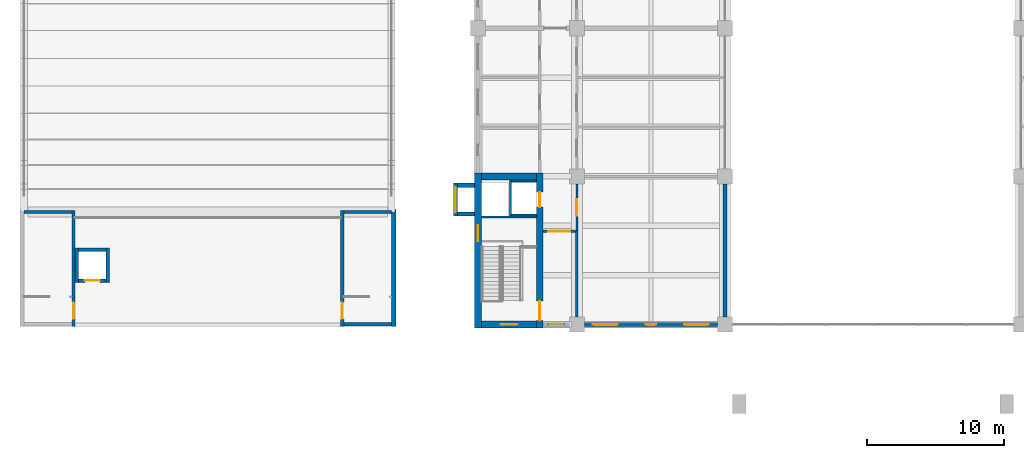
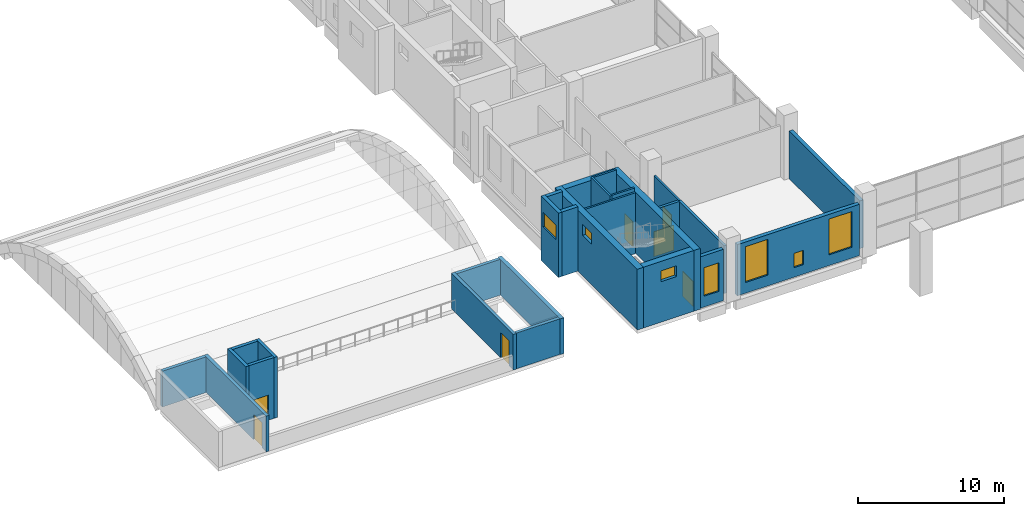
# One storey, part 16 of 32: 27 walls, 7 doors, 7 windows, 14 openings.
"""IFC4 building model written with IfcOpenShell, lengths in metres."""

from ifc_helpers import new_model, si_unit, direction, frame, frame_2d, origin, place, context, subcontext, project, spatial, rectangle, extrude, material, layer, layer_set, type_object, element, fill, save


model = new_model("IFC4")

# Units and contexts
model_context = context("Model", 3, precision=1e-05, world=origin(), true_north=direction((0.0, 1.0)))
body_context = subcontext(model_context, "Body", "Model", "MODEL_VIEW")
ifc_project = project(units=[si_unit("LENGTHUNIT", "METRE"), si_unit("AREAUNIT", "SQUARE_METRE"), si_unit("VOLUMEUNIT", "CUBIC_METRE"), si_unit("PLANEANGLEUNIT", "RADIAN"), si_unit("MASSUNIT", "GRAM", prefix="KILO")], contexts=[model_context])

# Site, building, storey
site_placement = place(None, origin())
site = spatial("IfcSite", under=ifc_project, at=site_placement, CompositionType="ELEMENT")
building_placement = place(site_placement, origin())
building = spatial("IfcBuilding", under=site, at=building_placement, Name="Basin Gate Institute", CompositionType="ELEMENT")
storey_placement = place(building_placement, frame((0.0, 0.0, 11.39990234375)))
storey = spatial("IfcBuildingStorey", under=building, at=storey_placement, Name="L02", CompositionType="ELEMENT", Elevation=11.39990234375)

# Walls
ifc_material_1 = material(Name="Fire-resisting board wall assembly")
ifc_layer_1 = layer(ifc_material_1, 0.300048828125)
ifc_layer_set_1 = layer_set([ifc_layer_1], Name="Atrium enclosure wall EW4")
wall_type_1 = type_object("IfcWallType", Name="Atrium enclosure wall EW4", PredefinedType="STANDARD", material=ifc_layer_set_1)
wall_1_placement = place(storey_placement, frame((79.199951171875, 35.64990234375, 0.0), z_axis=(0.0, 0.0, 1.0), x_axis=(0.0, 1.0, 0.0)))
element("IfcWall", 1, at=wall_1_placement, inside=storey, type_object=wall_type_1, material=ifc_layer_set_1, Name="Atrium enclosure wall W wing bay 1 L02", PredefinedType="STANDARD", context=body_context, shape_type="SweptSolid", body=[
    extrude(rectangle(XDim=9.7001953125, YDim=0.300048828125, at=frame_2d((4.85009765625, 0.0))), origin(), (0.0, 0.0, 1.0), 4.0),
])
ifc_material_2 = material(Name="Concrete 40 MPa", Category="concrete")
ifc_layer_2 = layer(ifc_material_2, 0.25)
ifc_layer_set_2 = layer_set([ifc_layer_2], Name="Concrete 40 MPa")
wall_type_2 = type_object("IfcWallType", Name="Block enclosure wall W73 REI 120", PredefinedType="SOLIDWALL", material=ifc_layer_set_2)
wall_2_placement = place(storey_placement, frame((28.10009765625, 43.300048828125, 0.0), z_axis=(0.0, 0.0, 1.0), x_axis=(1.0, 0.0, 0.0)))
element("IfcWall", 2, at=wall_2_placement, inside=storey, type_object=wall_type_2, material=ifc_layer_set_2, Name="Roof stair head house W north wall", PredefinedType="SOLIDWALL", context=body_context, shape_type="SweptSolid", body=[
    extrude(rectangle(XDim=3.474853515625, YDim=0.25, at=frame_2d((1.7373046875, 0.0))), origin(), (0.0, 0.0, 1.0), 3.0),
])

# Wall, opening, door
wall_3_placement = place(storey_placement, frame((31.699951171875, 34.949951171875, 0.0), z_axis=(0.0, 0.0, 1.0), x_axis=(0.0, 1.0, 0.0)))
wall_3 = element("IfcWall", 3, at=wall_3_placement, inside=storey, type_object=wall_type_2, material=ifc_layer_set_2, Name="Roof stair head house W inner wall", PredefinedType="SOLIDWALL", context=body_context, shape_type="SweptSolid", body=[
    extrude(rectangle(XDim=8.47509765625, YDim=0.25, at=frame_2d((4.237548828125, 0.0))), origin(), (0.0, 0.0, 1.0), 3.0),
])
opening_1_placement = place(wall_3_placement, frame((0.550048828125, 0.0, 0.0)))
opening_1 = element("IfcOpeningElement", 4, at=opening_1_placement, cuts=wall_3, Name="Opening D932", PredefinedType="OPENING", context=body_context, shape_type="SweptSolid", body=[
    extrude(rectangle(XDim=1.199951171875, YDim=2.10009765625, at=frame_2d((0.60009765625, 1.050048828125))), frame((0.0, 0.135009765625, 0.0), z_axis=(0.0, -1.0, 0.0), x_axis=(1.0, 0.0, 0.0)), (0.0, 0.0, 1.0), 0.27001953125),
])
ifc_material_3 = material(Name="Steel fire door leaf", Category="steel")
door_type_1 = type_object("IfcDoorType", Name="FD60 door 1200 single swing", OperationType="NOTDEFINED", PredefinedType="DOOR", material=ifc_material_3)
door_1_placement = place(opening_1_placement, origin())
door_1 = element("IfcDoor", 5, at=door_1_placement, inside=storey, type_object=door_type_1, material=ifc_material_3, Name="Roof stair door ST-T2", OperationType="SINGLE_SWING_LEFT", OverallHeight=2.10009765625, OverallWidth=1.199951171875, PredefinedType="DOOR", context=body_context, shape_type="SweptSolid", body=[
    extrude(rectangle(XDim=1.199951171875, YDim=2.10009765625, at=frame_2d((0.60009765625, 1.050048828125))), frame((0.0, 0.02490234375, 0.0), z_axis=(0.0, -1.0, 0.0), x_axis=(1.0, 0.0, 0.0)), (0.0, 0.0, 1.0), 0.050048828125),
])
fill(opening_1, door_1)

# Walls
for number, where, z_axis, x_axis, name in (
    (6, (51.425048828125, 35.10009765625, 0.0), (0.0, 0.0, 1.0), (1.0, 0.0, 0.0), "Roof stair head house E south wall"),
    (7, (51.425048828125, 43.300048828125, 0.0), (0.0, 0.0, 1.0), (1.0, 0.0, 0.0), "Roof stair head house E north wall"),
):
    element("IfcWall", number, at=place(storey_placement, frame(where, z_axis=z_axis, x_axis=x_axis)), inside=storey, type_object=wall_type_2, material=ifc_layer_set_2, Name=name, PredefinedType="SOLIDWALL", context=body_context, shape_type="SweptSolid", body=[
        extrude(rectangle(XDim=3.474853515625, YDim=0.25, at=frame_2d((1.7373046875, 0.0))), origin(), (0.0, 0.0, 1.0), 3.0),
    ])

# Wall, opening, door
wall_4_placement = place(storey_placement, frame((51.300048828125, 34.949951171875, 0.0), z_axis=(0.0, 0.0, 1.0), x_axis=(0.0, 1.0, 0.0)))
wall_4 = element("IfcWall", 8, at=wall_4_placement, inside=storey, type_object=wall_type_2, material=ifc_layer_set_2, Name="Roof stair head house E inner wall", PredefinedType="SOLIDWALL", context=body_context, shape_type="SweptSolid", body=[
    extrude(rectangle(XDim=8.47509765625, YDim=0.25, at=frame_2d((4.237548828125, 0.0))), origin(), (0.0, 0.0, 1.0), 3.0),
])
opening_2_placement = place(wall_4_placement, frame((0.550048828125, 0.0, 0.0)))
opening_2 = element("IfcOpeningElement", 9, at=opening_2_placement, cuts=wall_4, Name="Opening D933", PredefinedType="OPENING", context=body_context, shape_type="SweptSolid", body=[
    extrude(rectangle(XDim=1.199951171875, YDim=2.10009765625, at=frame_2d((0.60009765625, 1.050048828125))), frame((0.0, 0.135009765625, 0.0), z_axis=(0.0, -1.0, 0.0), x_axis=(1.0, 0.0, 0.0)), (0.0, 0.0, 1.0), 0.27001953125),
])
door_2_placement = place(opening_2_placement, frame((1.199951171875, 0.0, 0.0), z_axis=(0.0, 0.0, 1.0), x_axis=(-1.0, 0.0, 0.0)))
door_2 = element("IfcDoor", 10, at=door_2_placement, inside=storey, type_object=door_type_1, material=ifc_material_3, Name="Roof stair door ST-T4", OperationType="SINGLE_SWING_RIGHT", OverallHeight=2.10009765625, OverallWidth=1.199951171875, PredefinedType="DOOR", context=body_context, shape_type="SweptSolid", body=[
    extrude(rectangle(XDim=1.199951171875, YDim=2.10009765625, at=frame_2d((0.60009765625, 1.050048828125))), frame((0.0, 0.02490234375, 0.0), z_axis=(0.0, -1.0, 0.0), x_axis=(1.0, 0.0, 0.0)), (0.0, 0.0, 1.0), 0.050048828125),
])
fill(opening_2, door_2)

# Wall
ifc_material_4 = material(Name="Concrete 40 MPa", Category="concrete")
ifc_layer_3 = layer(ifc_material_4, 0.300048828125)
ifc_layer_set_3 = layer_set([ifc_layer_3], Name="Concrete 40 MPa")
wall_type_3 = type_object("IfcWallType", Name="Block external wall W71 REI 180", PredefinedType="SOLIDWALL", material=ifc_layer_set_3)
wall_5_placement = place(storey_placement, frame((55.050048828125, 34.949951171875, 0.0), z_axis=(0.0, 0.0, 1.0), x_axis=(0.0, 1.0, 0.0)))
element("IfcWall", 11, at=wall_5_placement, inside=storey, type_object=wall_type_3, material=ifc_layer_set_3, Name="Roof stair head house E outer wall", PredefinedType="SOLIDWALL", context=body_context, shape_type="SweptSolid", body=[
    extrude(rectangle(XDim=8.55615234375, YDim=0.300048828125, at=frame_2d((4.278076171875, 0.0))), origin(), (0.0, 0.0, 1.0), 3.0),
])

# Wall, opening, door
ifc_material_5 = material(Name="Fire-rated masonry", Category="masonry")
ifc_layer_4 = layer(ifc_material_5, 0.199951171875)
ifc_layer_set_4 = layer_set([ifc_layer_4], Name="Enclosure wall PW2 200 EI 60")
wall_type_4 = type_object("IfcWallType", Name="Enclosure wall PW2 200 EI 60", PredefinedType="PARTITIONING", material=ifc_layer_set_4)
wall_6_placement = place(storey_placement, frame((65.949951171875, 41.89990234375, 0.0), z_axis=(0.0, 0.0, 1.0), x_axis=(1.0, 0.0, 0.0)))
wall_6 = element("IfcWall", 12, at=wall_6_placement, inside=storey, type_object=wall_type_4, material=ifc_layer_set_4, Name="Smoke lobby enclosure wall PW2 L02", PredefinedType="PARTITIONING", context=body_context, shape_type="SweptSolid", body=[
    extrude(rectangle(XDim=2.35009765625, YDim=0.199951171875, at=frame_2d((1.175048828125, 0.0))), origin(), (0.0, 0.0, 1.0), 4.0),
])
opening_3_placement = place(wall_6_placement, frame((0.375, 0.0, 0.0)))
opening_3 = element("IfcOpeningElement", 13, at=opening_3_placement, cuts=wall_6, Name="Opening DR142", PredefinedType="OPENING", context=body_context, shape_type="SweptSolid", body=[
    extrude(rectangle(XDim=1.60009765625, YDim=2.10009765625, at=frame_2d((0.800048828125, 1.050048828125))), frame((0.0, 0.10986328125, 0.0), z_axis=(0.0, -1.0, 0.0), x_axis=(1.0, 0.0, 0.0)), (0.0, 0.0, 1.0), 0.219970703125),
])
ifc_material_6 = material(Name="Steel fire door", Category="steel")
door_type_2 = type_object("IfcDoorType", Name="FD60 Smoke lobby door pair D8", OperationType="DOUBLE_DOOR_SINGLE_SWING", PredefinedType="DOOR", material=ifc_material_6)
door_3_placement = place(opening_3_placement, frame((1.60009765625, 0.0, 0.0), z_axis=(0.0, 0.0, 1.0), x_axis=(-1.0, 0.0, 0.0)))
door_3 = element("IfcDoor", 14, at=door_3_placement, inside=storey, type_object=door_type_2, material=ifc_material_6, Name="Smoke lobby door SS1 L02", OperationType="DOUBLE_DOOR_SINGLE_SWING", OverallHeight=2.10009765625, OverallWidth=1.60009765625, PredefinedType="DOOR", context=body_context, shape_type="SweptSolid", body=[
    extrude(rectangle(XDim=1.60009765625, YDim=2.10009765625, at=frame_2d((0.800048828125, 1.050048828125))), frame((0.0, 0.02490234375, 0.0), z_axis=(0.0, -1.0, 0.0), x_axis=(1.0, 0.0, 0.0)), (0.0, 0.0, 1.0), 0.050048828125),
])
fill(opening_3, door_3)

# Wall
wall_7_placement = place(storey_placement, frame((68.39990234375, 35.64990234375, 0.0), z_axis=(0.0, 0.0, 1.0), x_axis=(0.0, 1.0, 0.0)))
element("IfcWall", 15, at=wall_7_placement, inside=storey, type_object=wall_type_4, material=ifc_layer_set_4, Name="Smoke lobby enclosure wall PW2 L02", PredefinedType="PARTITIONING", context=body_context, shape_type="SweptSolid", body=[
    extrude(rectangle(XDim=6.25, YDim=0.199951171875, at=frame_2d((3.125, 0.0))), origin(), (0.0, 0.0, 1.0), 4.0),
])

# Wall, opening, window
ifc_material_7 = material(Name="Aluminium-faced insulated panel wall", Category="aluminium")
ifc_layer_5 = layer(ifc_material_7, 0.300048828125)
ifc_layer_set_5 = layer_set([ifc_layer_5], Name="External wall EW1 EI 120")
wall_type_5 = type_object("IfcWallType", Name="External wall EW1 EI 120", PredefinedType="STANDARD", material=ifc_layer_set_5)
wall_8_placement = place(storey_placement, frame((65.949951171875, 35.10009765625, 0.0), z_axis=(0.0, 0.0, 1.0), x_axis=(1.0, 0.0, 0.0)))
wall_8 = element("IfcWall", 16, at=wall_8_placement, inside=storey, type_object=wall_type_5, material=ifc_layer_set_5, Name="External end wall W wing south L02 1", PredefinedType="STANDARD", context=body_context, shape_type="SweptSolid", body=[
    extrude(rectangle(XDim=1.900146484375, YDim=0.300048828125, at=frame_2d((0.9501953125, 0.0))), origin(), (0.0, 0.0, 1.0), 4.300048828125),
])
opening_4_placement = place(wall_8_placement, frame((0.35009765625, 0.0, 0.89990234375)))
opening_4 = element("IfcOpeningElement", 17, at=opening_4_placement, cuts=wall_8, Name="Opening WN4", PredefinedType="OPENING", context=body_context, shape_type="SweptSolid", body=[
    extrude(rectangle(XDim=1.199951171875, YDim=2.39990234375, at=frame_2d((0.60009765625, 1.199951171875))), frame((0.0, 0.16015625, 0.0), z_axis=(0.0, -1.0, 0.0), x_axis=(1.0, 0.0, 0.0)), (0.0, 0.0, 1.0), 0.320068359375),
])
ifc_material_8 = material(Name="Aluminium-framed double glazing", Category="aluminium")
window_type_1 = type_object("IfcWindowType", Name="Corridor end window WN4", PartitioningType="SINGLE_PANEL", PredefinedType="WINDOW", material=ifc_material_8)
window_1_placement = place(opening_4_placement, origin())
window_1 = element("IfcWindow", 18, at=window_1_placement, inside=storey, type_object=window_type_1, material=ifc_material_8, Name="Corridor end window W wing S L02", OverallHeight=2.39990234375, OverallWidth=1.199951171875, PartitioningType="SINGLE_PANEL", PredefinedType="WINDOW", context=body_context, shape_type="SweptSolid", body=[
    extrude(rectangle(XDim=1.199951171875, YDim=2.39990234375, at=frame_2d((0.60009765625, 1.199951171875))), frame((0.0, 0.030029296875, 0.0), z_axis=(0.0, -1.0, 0.0), x_axis=(1.0, 0.0, 0.0)), (0.0, 0.0, 1.0), 0.06005859375),
])
fill(opening_4, window_1)

# Wall, openings, windows
wall_9_placement = place(storey_placement, frame((68.949951171875, 35.10009765625, 0.0), z_axis=(0.0, 0.0, 1.0), x_axis=(1.0, 0.0, 0.0)))
wall_9 = element("IfcWall", 19, at=wall_9_placement, inside=storey, type_object=wall_type_5, material=ifc_layer_set_5, Name="External end wall W wing south L02 2", PredefinedType="STANDARD", context=body_context, shape_type="SweptSolid", body=[
    extrude(rectangle(XDim=9.699951171875, YDim=0.300048828125, at=frame_2d((4.85009765625, 0.0))), origin(), (0.0, 0.0, 1.0), 4.300048828125),
])
opening_5_placement = place(wall_9_placement, frame((0.625, 0.0, 0.89990234375)))
opening_5 = element("IfcOpeningElement", 20, at=opening_5_placement, cuts=wall_9, Name="Opening WN2", PredefinedType="OPENING", context=body_context, shape_type="SweptSolid", body=[
    extrude(rectangle(XDim=1.800048828125, YDim=3.0, at=frame_2d((0.89990234375, 1.5))), frame((0.0, 0.16015625, 0.0), z_axis=(0.0, -1.0, 0.0), x_axis=(1.0, 0.0, 0.0)), (0.0, 0.0, 1.0), 0.320068359375),
])
opening_6_placement = place(wall_9_placement, frame((4.47509765625, 0.0, 0.800048828125)))
opening_6 = element("IfcOpeningElement", 21, at=opening_6_placement, cuts=wall_9, Name="Opening WN3", PredefinedType="OPENING", context=body_context, shape_type="SweptSolid", body=[
    extrude(rectangle(XDim=0.75, YDim=1.199951171875, at=frame_2d((0.375, 0.60009765625))), frame((0.0, 0.16015625, 0.0), z_axis=(0.0, -1.0, 0.0), x_axis=(1.0, 0.0, 0.0)), (0.0, 0.0, 1.0), 0.320068359375),
])
opening_7_placement = place(wall_9_placement, frame((7.27490234375, 0.0, 0.89990234375)))
opening_7 = element("IfcOpeningElement", 22, at=opening_7_placement, cuts=wall_9, Name="Opening WN2", PredefinedType="OPENING", context=body_context, shape_type="SweptSolid", body=[
    extrude(rectangle(XDim=1.800048828125, YDim=3.0, at=frame_2d((0.89990234375, 1.5))), frame((0.0, 0.16015625, 0.0), z_axis=(0.0, -1.0, 0.0), x_axis=(1.0, 0.0, 0.0)), (0.0, 0.0, 1.0), 0.320068359375),
])
ifc_material_9 = material(Name="Aluminium-framed double glazing", Category="aluminium")
window_type_2 = type_object("IfcWindowType", Name="Emergency entry panel WN3", PartitioningType="SINGLE_PANEL", PredefinedType="WINDOW", material=ifc_material_9)
window_2_placement = place(opening_6_placement, origin())
window_2 = element("IfcWindow", 23, at=window_2_placement, inside=storey, type_object=window_type_2, material=ifc_material_9, Name="Emergency entry panel W wing end S L02 bay 2", OverallHeight=1.199951171875, OverallWidth=0.75, PartitioningType="SINGLE_PANEL", PredefinedType="WINDOW", context=body_context, shape_type="SweptSolid", body=[
    extrude(rectangle(XDim=0.75, YDim=1.199951171875, at=frame_2d((0.375, 0.60009765625))), frame((0.0, 0.030029296875, 0.0), z_axis=(0.0, -1.0, 0.0), x_axis=(1.0, 0.0, 0.0)), (0.0, 0.0, 1.0), 0.06005859375),
])
fill(opening_6, window_2)
ifc_material_10 = material(Name="Aluminium-framed double glazing", Category="aluminium")
window_type_3 = type_object("IfcWindowType", Name="Podium window WN2", PartitioningType="SINGLE_PANEL", PredefinedType="WINDOW", material=ifc_material_10)
window_3_placement = place(opening_5_placement, origin())
window_3 = element("IfcWindow", 24, at=window_3_placement, inside=storey, type_object=window_type_3, material=ifc_material_10, Name="Podium window W wing end S L02 bay 1", OverallHeight=3.0, OverallWidth=1.800048828125, PartitioningType="SINGLE_PANEL", PredefinedType="WINDOW", context=body_context, shape_type="SweptSolid", body=[
    extrude(rectangle(XDim=1.800048828125, YDim=3.0, at=frame_2d((0.89990234375, 1.5))), frame((0.0, 0.030029296875, 0.0), z_axis=(0.0, -1.0, 0.0), x_axis=(1.0, 0.0, 0.0)), (0.0, 0.0, 1.0), 0.06005859375),
])
fill(opening_5, window_3)
window_4_placement = place(opening_7_placement, origin())
window_4 = element("IfcWindow", 25, at=window_4_placement, inside=storey, type_object=window_type_3, material=ifc_material_10, Name="Podium window W wing end S L02 bay 3", OverallHeight=3.0, OverallWidth=1.800048828125, PartitioningType="SINGLE_PANEL", PredefinedType="WINDOW", context=body_context, shape_type="SweptSolid", body=[
    extrude(rectangle(XDim=1.800048828125, YDim=3.0, at=frame_2d((0.89990234375, 1.5))), frame((0.0, 0.030029296875, 0.0), z_axis=(0.0, -1.0, 0.0), x_axis=(1.0, 0.0, 0.0)), (0.0, 0.0, 1.0), 0.06005859375),
])
fill(opening_7, window_4)

# Wall, opening, door
ifc_material_11 = material(Name="Concrete 40 MPa", Category="concrete")
ifc_layer_6 = layer(ifc_material_11, 0.25)
ifc_layer_set_6 = layer_set([ifc_layer_6], Name="Concrete 40 MPa")
wall_type_6 = type_object("IfcWallType", Name="Lift shaft enclosure wall W76 EI 120", PredefinedType="SOLIDWALL", material=ifc_layer_set_6)
wall_10_placement = place(storey_placement, frame((32.074951171875, 38.300048828125, 0.0), z_axis=(0.0, 0.0, 1.0), x_axis=(1.0, 0.0, 0.0)))
wall_10 = element("IfcWall", 26, at=wall_10_placement, inside=storey, type_object=wall_type_6, material=ifc_layer_set_6, Name="Lift shaft enclosure LP7 S L02", PredefinedType="SOLIDWALL", context=body_context, shape_type="SweptSolid", body=[
    extrude(rectangle(XDim=2.0, YDim=0.25, at=frame_2d((1.0, 0.0))), origin(), (0.0, 0.0, 1.0), 5.10009765625),
])
opening_8_placement = place(wall_10_placement, frame((0.449951171875, 0.0, 0.0)))
opening_8 = element("IfcOpeningElement", 27, at=opening_8_placement, cuts=wall_10, Name="Opening LW23", PredefinedType="OPENING", context=body_context, shape_type="SweptSolid", body=[
    extrude(rectangle(XDim=1.10009765625, YDim=2.10009765625, at=frame_2d((0.550048828125, 1.050048828125))), frame((0.0, 0.135009765625, 0.0), z_axis=(0.0, -1.0, 0.0), x_axis=(1.0, 0.0, 0.0)), (0.0, 0.0, 1.0), 0.27001953125),
])
ifc_material_12 = material(Name="Stainless steel", Category="steel")
door_type_3 = type_object("IfcDoorType", Name="FD60 Lift landing door LD", OperationType="SLIDING_TO_LEFT", PredefinedType="DOOR", material=ifc_material_12)
door_4_placement = place(opening_8_placement, origin())
door_4 = element("IfcDoor", 28, at=door_4_placement, inside=storey, type_object=door_type_3, material=ifc_material_12, Name="Lift landing door LP7 L02", OperationType="SLIDING_TO_LEFT", OverallHeight=2.10009765625, OverallWidth=1.10009765625, PredefinedType="DOOR", context=body_context, shape_type="SweptSolid", body=[
    extrude(rectangle(XDim=1.10009765625, YDim=2.10009765625, at=frame_2d((0.550048828125, 1.050048828125))), frame((0.0, 0.02490234375, 0.0), z_axis=(0.0, -1.0, 0.0), x_axis=(1.0, 0.0, 0.0)), (0.0, 0.0, 1.0), 0.050048828125),
])
fill(opening_8, door_4)

# Walls
wall_11_placement = place(storey_placement, frame((32.074951171875, 40.550048828125, 0.0), z_axis=(0.0, 0.0, 1.0), x_axis=(1.0, 0.0, 0.0)))
element("IfcWall", 29, at=wall_11_placement, inside=storey, type_object=wall_type_6, material=ifc_layer_set_6, Name="Lift shaft enclosure LP7 N L02", PredefinedType="SOLIDWALL", context=body_context, shape_type="SweptSolid", body=[
    extrude(rectangle(XDim=2.0, YDim=0.25, at=frame_2d((1.0, 0.0))), origin(), (0.0, 0.0, 1.0), 5.10009765625),
])
for number, where, z_axis, x_axis, name in (
    (30, (31.949951171875, 38.175048828125, 0.0), (0.0, 0.0, 1.0), (0.0, 1.0, 0.0), "Lift shaft enclosure LP7 W L02"),
    (31, (34.199951171875, 38.175048828125, 0.0), (0.0, 0.0, 1.0), (0.0, 1.0, 0.0), "Lift shaft enclosure LP7 E L02"),
):
    element("IfcWall", number, at=place(storey_placement, frame(where, z_axis=z_axis, x_axis=x_axis)), inside=storey, type_object=wall_type_6, material=ifc_layer_set_6, Name=name, PredefinedType="SOLIDWALL", context=body_context, shape_type="SweptSolid", body=[
        extrude(rectangle(XDim=2.5, YDim=0.25, at=frame_2d((1.25, 0.0))), origin(), (0.0, 0.0, 1.0), 5.10009765625),
    ])

# Wall, opening, door
ifc_material_13 = material(Name="Gypsum board on steel stud", Category="steel")
ifc_layer_7 = layer(ifc_material_13, 0.14990234375)
ifc_layer_set_7 = layer_set([ifc_layer_7], Name="Gypsum board on steel stud")
wall_type_7 = type_object("IfcWallType", Name="Partition PW1 150 EI 60", PredefinedType="PARTITIONING", material=ifc_layer_set_7)
wall_12_placement = place(storey_placement, frame((68.39990234375, 41.89990234375, 0.0), z_axis=(0.0, 0.0, 1.0), x_axis=(0.0, 1.0, 0.0)))
wall_12 = element("IfcWall", 32, at=wall_12_placement, inside=storey, type_object=wall_type_7, material=ifc_layer_set_7, Name="Laboratory corridor wall PW1 L02", PredefinedType="PARTITIONING", context=body_context, shape_type="SweptSolid", body=[
    extrude(rectangle(XDim=3.4501953125, YDim=0.14990234375, at=frame_2d((1.72509765625, 0.0))), origin(), (0.0, 0.0, 1.0), 4.0),
])
opening_9_placement = place(wall_12_placement, frame((1.125, 0.0, 0.0)))
opening_9 = element("IfcOpeningElement", 33, at=opening_9_placement, cuts=wall_12, Name="Opening DR132", PredefinedType="OPENING", context=body_context, shape_type="SweptSolid", body=[
    extrude(rectangle(XDim=1.199951171875, YDim=2.10009765625, at=frame_2d((0.60009765625, 1.050048828125))), frame((0.0, 0.0849609375, 0.0), z_axis=(0.0, -1.0, 0.0), x_axis=(1.0, 0.0, 0.0)), (0.0, 0.0, 1.0), 0.169921875),
])
ifc_material_14 = material(Name="Timber fire door", Category="wood")
door_type_4 = type_object("IfcDoorType", Name="FD30 Laboratory door D2", OperationType="DOUBLE_DOOR_SINGLE_SWING", PredefinedType="DOOR", material=ifc_material_14)
door_5_placement = place(opening_9_placement, frame((1.199951171875, 0.0, 0.0), z_axis=(0.0, 0.0, 1.0), x_axis=(-1.0, 0.0, 0.0)))
door_5 = element("IfcDoor", 34, at=door_5_placement, inside=storey, type_object=door_type_4, material=ifc_material_14, Name="Door to Seminar Room 0216 L02", OperationType="DOUBLE_DOOR_SINGLE_SWING", OverallHeight=2.10009765625, OverallWidth=1.199951171875, PredefinedType="DOOR", context=body_context, shape_type="SweptSolid", body=[
    extrude(rectangle(XDim=1.199951171875, YDim=2.10009765625, at=frame_2d((0.60009765625, 1.050048828125))), frame((0.0, 0.02490234375, 0.0), z_axis=(0.0, -1.0, 0.0), x_axis=(1.0, 0.0, 0.0)), (0.0, 0.0, 1.0), 0.050048828125),
])
fill(opening_9, door_5)

# Walls
ifc_material_15 = material(Name="Concrete 40 MPa", Category="concrete")
ifc_layer_8 = layer(ifc_material_15, 0.14990234375)
ifc_layer_set_8 = layer_set([ifc_layer_8], Name="Concrete 40 MPa")
wall_type_8 = type_object("IfcWallType", Name="Wall LS1 lift shaft enclosure R180", PredefinedType="SOLIDWALL", material=ifc_layer_set_8)
wall_13_placement = place(storey_placement, frame((63.574951171875, 43.0, 0.0), z_axis=(0.0, 0.0, 1.0), x_axis=(0.0, 1.0, 0.0)))
element("IfcWall", 35, at=wall_13_placement, inside=storey, type_object=wall_type_8, material=ifc_layer_set_8, Name="Lift shaft enclosure LP1 L02 UL", PredefinedType="SOLIDWALL", context=body_context, shape_type="SweptSolid", body=[
    extrude(rectangle(XDim=2.64990234375, YDim=0.14990234375, at=frame_2d((1.324951171875, 0.0))), origin(), (0.0, 0.0, 1.0), 5.400146484375),
])
for number, where, z_axis, x_axis, name in (
    (36, (63.64990234375, 43.074951171875, 0.0), (0.0, 0.0, 1.0), (1.0, 0.0, 0.0), "Lift shaft enclosure LP1 L02 RL"),
    (37, (63.64990234375, 45.574951171875, 0.0), (0.0, 0.0, 1.0), (1.0, 0.0, 0.0), "Lift shaft enclosure LP1 L02 RH"),
):
    element("IfcWall", number, at=place(storey_placement, frame(where, z_axis=z_axis, x_axis=x_axis)), inside=storey, type_object=wall_type_8, material=ifc_layer_set_8, Name=name, PredefinedType="SOLIDWALL", context=body_context, shape_type="SweptSolid", body=[
        extrude(rectangle(XDim=1.800048828125, YDim=0.14990234375, at=frame_2d((0.89990234375, 0.0))), origin(), (0.0, 0.0, 1.0), 5.400146484375),
    ])
ifc_material_16 = material(Name="Concrete 40 MPa", Category="concrete")
ifc_layer_9 = layer(ifc_material_16, 0.14990234375)
ifc_layer_set_9 = layer_set([ifc_layer_9], Name="Concrete 40 MPa")
wall_type_9 = type_object("IfcWallType", Name="Wall SE1 stair enclosure R180", PredefinedType="SOLIDWALL", material=ifc_layer_set_9)
wall_14_placement = place(storey_placement, frame((61.449951171875, 42.925048828125, 0.0), z_axis=(0.0, 0.0, 1.0), x_axis=(1.0, 0.0, 0.0)))
element("IfcWall", 38, at=wall_14_placement, inside=storey, type_object=wall_type_9, material=ifc_layer_set_9, Name="Stair enclosure wall ST-WS L02", PredefinedType="SOLIDWALL", context=body_context, shape_type="SweptSolid", body=[
    extrude(rectangle(XDim=4.0, YDim=0.14990234375, at=frame_2d((2.0, 0.0))), origin(), (0.0, 0.0, 1.0), 5.10009765625),
])

# Wall, opening, window
ifc_material_17 = material(Name="Concrete 50 MPa", Category="concrete")
ifc_layer_10 = layer(ifc_material_17, 0.300048828125)
ifc_layer_set_10 = layer_set([ifc_layer_10], Name="Concrete 50 MPa")
wall_type_10 = type_object("IfcWallType", Name="Wall SK1 R180", PredefinedType="SHEAR", material=ifc_layer_set_10)
wall_15_placement = place(storey_placement, frame((59.550048828125, 43.0, 0.0), z_axis=(0.0, 0.0, 1.0), x_axis=(0.0, 1.0, 0.0)))
wall_15 = element("IfcWall", 39, at=wall_15_placement, inside=storey, type_object=wall_type_10, material=ifc_layer_set_10, Name="Spine riser stack wall SK1 WS F L02", PredefinedType="SHEAR", context=body_context, shape_type="SweptSolid", body=[
    extrude(rectangle(XDim=2.39990234375, YDim=0.300048828125, at=frame_2d((1.199951171875, 0.0))), origin(), (0.0, 0.0, 1.0), 5.400146484375),
])
opening_10_placement = place(wall_15_placement, frame((0.300048828125, 0.0, 3.0)))
opening_10 = element("IfcOpeningElement", 40, at=opening_10_placement, cuts=wall_15, Name="Opening WL1", PredefinedType="OPENING", context=body_context, shape_type="SweptSolid", body=[
    extrude(rectangle(XDim=1.800048828125, YDim=1.199951171875, at=frame_2d((0.89990234375, 0.60009765625))), frame((0.0, 0.16015625, 0.0), z_axis=(0.0, -1.0, 0.0), x_axis=(1.0, 0.0, 0.0)), (0.0, 0.0, 1.0), 0.320068359375),
])
ifc_material_18 = material(Name="Aluminium louvre blades with fire damper", Category="aluminium")
window_type_4 = type_object("IfcWindowType", Name="Riser louvre EI 180 WL1", PartitioningType="SINGLE_PANEL", PredefinedType="WINDOW", material=ifc_material_18)
window_5_placement = place(opening_10_placement, origin())
window_5 = element("IfcWindow", 41, at=window_5_placement, inside=storey, type_object=window_type_4, material=ifc_material_18, Name="Riser louvre EI 180 WS riser 1 L02", OverallHeight=1.199951171875, OverallWidth=1.800048828125, PartitioningType="SINGLE_PANEL", PredefinedType="WINDOW", context=body_context, shape_type="SweptSolid", body=[
    extrude(rectangle(XDim=1.800048828125, YDim=1.199951171875, at=frame_2d((0.89990234375, 0.60009765625))), frame((0.0, 0.030029296875, 0.0), z_axis=(0.0, -1.0, 0.0), x_axis=(1.0, 0.0, 0.0)), (0.0, 0.0, 1.0), 0.06005859375),
])
fill(opening_10, window_5)

# Walls
for number, where, z_axis, x_axis, name in (
    (42, (60.949951171875, 43.14990234375, 0.0), (0.0, 0.0, 1.0), (-1.0, 0.0, 0.0), "Spine riser stack wall SK1 WS A L02"),
    (43, (60.949951171875, 45.25, 0.0), (0.0, 0.0, 1.0), (-1.0, 0.0, 0.0), "Spine riser stack wall SK1 WS B L02"),
):
    element("IfcWall", number, at=place(storey_placement, frame(where, z_axis=z_axis, x_axis=x_axis)), inside=storey, type_object=wall_type_10, material=ifc_layer_set_10, Name=name, PredefinedType="SHEAR", context=body_context, shape_type="SweptSolid", body=[
        extrude(rectangle(XDim=1.25, YDim=0.300048828125, at=frame_2d((0.625, 0.0))), origin(), (0.0, 0.0, 1.0), 5.400146484375),
    ])

# Wall, opening, window
ifc_material_19 = material(Name="Concrete 60 MPa", Category="concrete")
ifc_layer_11 = layer(ifc_material_19, 0.5)
ifc_layer_set_11 = layer_set([ifc_layer_11], Name="Concrete 60 MPa")
wall_type_11 = type_object("IfcWallType", Name="Wall SW1 R180", PredefinedType="SHEAR", material=ifc_layer_set_11)
wall_16_placement = place(storey_placement, frame((61.199951171875, 34.85009765625, 0.0), z_axis=(0.0, 0.0, 1.0), x_axis=(0.0, 1.0, 0.0)))
wall_16 = element("IfcWall", 44, at=wall_16_placement, inside=storey, type_object=wall_type_11, material=ifc_layer_set_11, Name="WALL/L02/WS/L", PredefinedType="SHEAR", context=body_context, shape_type="SweptSolid", body=[
    extrude(rectangle(XDim=11.2998046875, YDim=0.5, at=frame_2d((5.64990234375, 0.0))), origin(), (0.0, 0.0, 1.0), 5.10009765625),
])
opening_11_placement = place(wall_16_placement, frame((6.300048828125, 0.0, 3.39990234375)))
opening_11 = element("IfcOpeningElement", 45, at=opening_11_placement, cuts=wall_16, Name="Opening WT1", PredefinedType="OPENING", context=body_context, shape_type="SweptSolid", body=[
    extrude(rectangle(XDim=1.199951171875, YDim=0.89990234375, at=frame_2d((0.60009765625, 0.449951171875))), frame((0.0, 0.260009765625, 0.0), z_axis=(0.0, -1.0, 0.0), x_axis=(1.0, 0.0, 0.0)), (0.0, 0.0, 1.0), 0.52001953125),
])
ifc_material_20 = material(Name="Fire-resistant glazing in steel-free frame", Category="steel")
window_type_5 = type_object("IfcWindowType", Name="Rated stair window EI 180 WT1", PartitioningType="SINGLE_PANEL", PredefinedType="WINDOW", material=ifc_material_20)
window_6_placement = place(opening_11_placement, origin())
window_6 = element("IfcWindow", 46, at=window_6_placement, inside=storey, type_object=window_type_5, material=ifc_material_20, Name="Rated stair window EI 180 WS landing L02", OverallHeight=0.89990234375, OverallWidth=1.199951171875, PartitioningType="SINGLE_PANEL", PredefinedType="WINDOW", context=body_context, shape_type="SweptSolid", body=[
    extrude(rectangle(XDim=1.199951171875, YDim=0.89990234375, at=frame_2d((0.60009765625, 0.449951171875))), frame((0.0, 0.030029296875, 0.0), z_axis=(0.0, -1.0, 0.0), x_axis=(1.0, 0.0, 0.0)), (0.0, 0.0, 1.0), 0.06005859375),
])
fill(opening_11, window_6)

# Wall, openings, doors
wall_17_placement = place(storey_placement, frame((65.699951171875, 34.85009765625, 0.0), z_axis=(0.0, 0.0, 1.0), x_axis=(0.0, 1.0, 0.0)))
wall_17 = element("IfcWall", 47, at=wall_17_placement, inside=storey, type_object=wall_type_11, material=ifc_layer_set_11, Name="WALL/L02/WS/C", PredefinedType="SHEAR", context=body_context, shape_type="SweptSolid", body=[
    extrude(rectangle(XDim=11.2998046875, YDim=0.5, at=frame_2d((5.64990234375, 0.0))), origin(), (0.0, 0.0, 1.0), 5.10009765625),
])
opening_12_placement = place(wall_17_placement, frame((0.550048828125, 0.0, 0.0)))
opening_12 = element("IfcOpeningElement", 48, at=opening_12_placement, cuts=wall_17, Name="Opening DS013", PredefinedType="OPENING", context=body_context, shape_type="SweptSolid", body=[
    extrude(rectangle(XDim=1.39990234375, YDim=2.10009765625, at=frame_2d((0.699951171875, 1.050048828125))), frame((0.0, 0.260009765625, 0.0), z_axis=(0.0, -1.0, 0.0), x_axis=(1.0, 0.0, 0.0)), (0.0, 0.0, 1.0), 0.52001953125),
])
opening_13_placement = place(wall_17_placement, frame((8.800048828125, 0.0, 0.0)))
opening_13 = element("IfcOpeningElement", 49, at=opening_13_placement, cuts=wall_17, Name="Opening LD005", PredefinedType="OPENING", context=body_context, shape_type="SweptSolid", body=[
    extrude(rectangle(XDim=1.10009765625, YDim=2.10009765625, at=frame_2d((0.550048828125, 1.050048828125))), frame((0.0, 0.260009765625, 0.0), z_axis=(0.0, -1.0, 0.0), x_axis=(1.0, 0.0, 0.0)), (0.0, 0.0, 1.0), 0.52001953125),
])
ifc_material_21 = material(Name="Steel fire door", Category="steel")
door_type_5 = type_object("IfcDoorType", Name="FD30 Stair enclosure door DS", OperationType="DOUBLE_DOOR_SINGLE_SWING", PredefinedType="DOOR", material=ifc_material_21)
door_6_placement = place(opening_12_placement, origin())
door_6 = element("IfcDoor", 50, at=door_6_placement, inside=storey, type_object=door_type_5, material=ifc_material_21, Name="Stair enclosure door ST-WS L02", OperationType="DOUBLE_DOOR_SINGLE_SWING", OverallHeight=2.10009765625, OverallWidth=1.39990234375, PredefinedType="DOOR", context=body_context, shape_type="SweptSolid", body=[
    extrude(rectangle(XDim=1.39990234375, YDim=2.10009765625, at=frame_2d((0.699951171875, 1.050048828125))), frame((0.0, 0.02490234375, 0.0), z_axis=(0.0, -1.0, 0.0), x_axis=(1.0, 0.0, 0.0)), (0.0, 0.0, 1.0), 0.050048828125),
])
fill(opening_12, door_6)
door_7_placement = place(opening_13_placement, origin())
door_7 = element("IfcDoor", 51, at=door_7_placement, inside=storey, type_object=door_type_3, material=ifc_material_12, Name="Lift landing door LP1 L02", OperationType="SLIDING_TO_LEFT", OverallHeight=2.10009765625, OverallWidth=1.10009765625, PredefinedType="DOOR", context=body_context, shape_type="SweptSolid", body=[
    extrude(rectangle(XDim=1.10009765625, YDim=2.10009765625, at=frame_2d((0.550048828125, 1.050048828125))), frame((0.0, 0.02490234375, 0.0), z_axis=(0.0, -1.0, 0.0), x_axis=(1.0, 0.0, 0.0)), (0.0, 0.0, 1.0), 0.050048828125),
])
fill(opening_13, door_7)

# Wall, opening, window
wall_18_placement = place(storey_placement, frame((61.449951171875, 35.10009765625, 0.0), z_axis=(0.0, 0.0, 1.0), x_axis=(1.0, 0.0, 0.0)))
wall_18 = element("IfcWall", 52, at=wall_18_placement, inside=storey, type_object=wall_type_11, material=ifc_layer_set_11, Name="WALL/L02/WS/S", PredefinedType="SHEAR", context=body_context, shape_type="SweptSolid", body=[
    extrude(rectangle(XDim=4.0, YDim=0.5, at=frame_2d((2.0, 0.0))), origin(), (0.0, 0.0, 1.0), 5.10009765625),
])
opening_14_placement = place(wall_18_placement, frame((1.39990234375, 0.0, 3.39990234375)))
opening_14 = element("IfcOpeningElement", 53, at=opening_14_placement, cuts=wall_18, Name="Opening WT1", PredefinedType="OPENING", context=body_context, shape_type="SweptSolid", body=[
    extrude(rectangle(XDim=1.199951171875, YDim=0.89990234375, at=frame_2d((0.60009765625, 0.449951171875))), frame((0.0, 0.260009765625, 0.0), z_axis=(0.0, -1.0, 0.0), x_axis=(1.0, 0.0, 0.0)), (0.0, 0.0, 1.0), 0.52001953125),
])
window_7_placement = place(opening_14_placement, origin())
window_7 = element("IfcWindow", 54, at=window_7_placement, inside=storey, type_object=window_type_5, material=ifc_material_20, Name="Rated stair window EI 180 WS end L02", OverallHeight=0.89990234375, OverallWidth=1.199951171875, PartitioningType="SINGLE_PANEL", PredefinedType="WINDOW", context=body_context, shape_type="SweptSolid", body=[
    extrude(rectangle(XDim=1.199951171875, YDim=0.89990234375, at=frame_2d((0.60009765625, 0.449951171875))), frame((0.0, 0.030029296875, 0.0), z_axis=(0.0, -1.0, 0.0), x_axis=(1.0, 0.0, 0.0)), (0.0, 0.0, 1.0), 0.06005859375),
])
fill(opening_14, window_7)

# Wall
wall_19_placement = place(storey_placement, frame((61.449951171875, 45.89990234375, 0.0), z_axis=(0.0, 0.0, 1.0), x_axis=(1.0, 0.0, 0.0)))
element("IfcWall", 55, at=wall_19_placement, inside=storey, type_object=wall_type_11, material=ifc_layer_set_11, Name="WALL/L02/WS/N", PredefinedType="SHEAR", context=body_context, shape_type="SweptSolid", body=[
    extrude(rectangle(XDim=4.0, YDim=0.5, at=frame_2d((2.0, 0.0))), origin(), (0.0, 0.0, 1.0), 5.10009765625),
])

save(model, "model.ifc")
